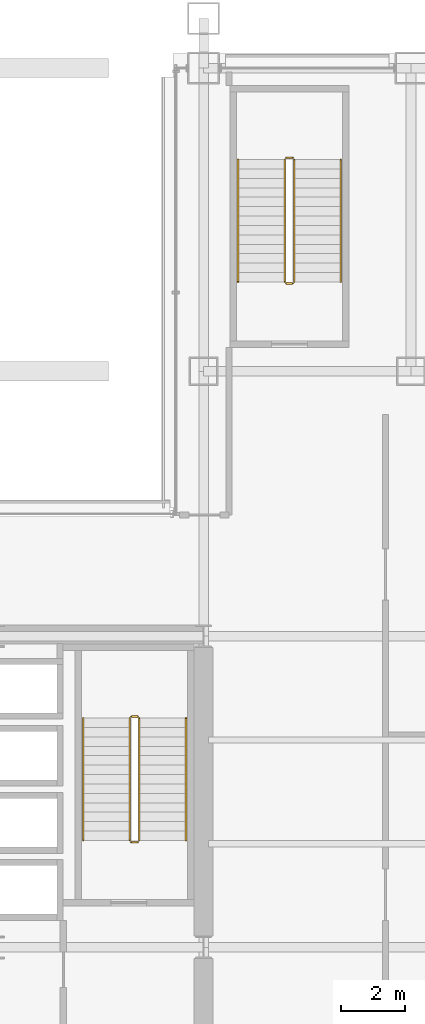
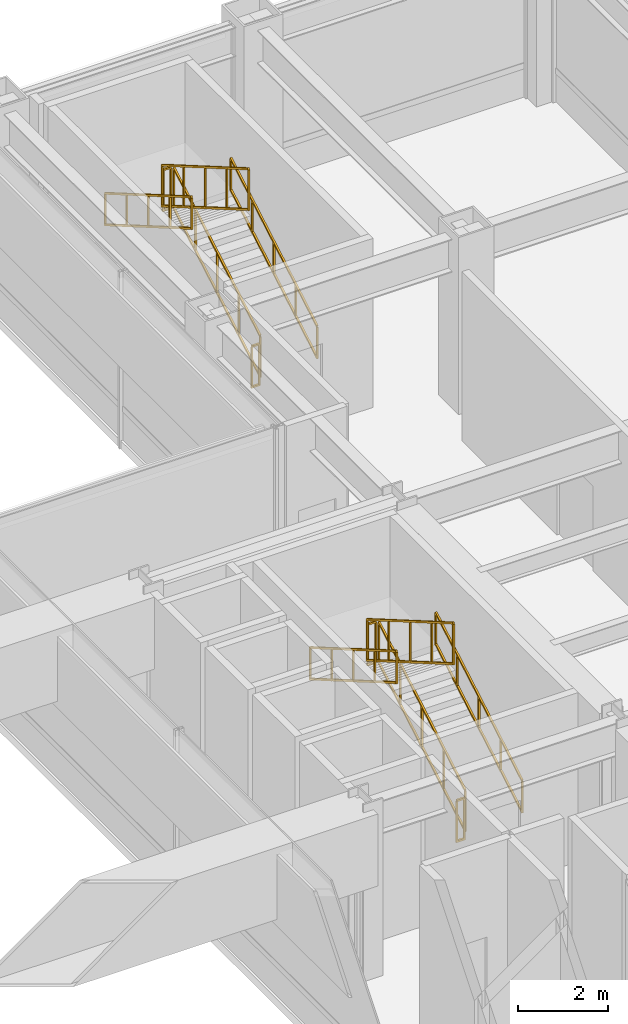
# One storey, part 42 of 42: 12 railings.
"""IFC4 building model written with IfcOpenShell, lengths in metres."""

from ifc_helpers import new_model, si_unit, direction, frame, origin, origin_2d, place, context, subcontext, project, spatial, rectangle, extrude, material, type_object, element, save


model = new_model("IFC4")

# Units and contexts
model_context = context("Model", 3, precision=1e-05, world=origin(), true_north=direction((0.0, 1.0)))
body_context = subcontext(model_context, "Body", "Model", "MODEL_VIEW")
ifc_project = project(units=[si_unit("LENGTHUNIT", "METRE"), si_unit("AREAUNIT", "SQUARE_METRE"), si_unit("VOLUMEUNIT", "CUBIC_METRE"), si_unit("PLANEANGLEUNIT", "RADIAN"), si_unit("MASSUNIT", "GRAM", prefix="KILO")], contexts=[model_context])

# Site, building, storey
site_placement = place(None, origin())
site = spatial("IfcSite", under=ifc_project, at=site_placement, CompositionType="ELEMENT")
building_placement = place(site_placement, origin())
building = spatial("IfcBuilding", under=site, at=building_placement, Name="Brelmoor Portico Tower", CompositionType="ELEMENT")
storey_placement = place(building_placement, frame((0.0, 0.0, 9.60009765625)))
storey = spatial("IfcBuildingStorey", under=building, at=storey_placement, Name="L02", CompositionType="ELEMENT", Elevation=9.60009765625)

# Railings
ifc_material_1 = material(Name="Painted Tubular Steel Q235B", Category="steel")
railing_type_1 = type_object("IfcRailingType", Name="RL-STAIR-GUARD", PredefinedType="GUARDRAIL", material=ifc_material_1)
railing_1_placement = place(storey_placement, frame((12.5400390625, 3.35009765625, 0.17138671875)))
element("IfcRailing", 1, at=railing_1_placement, inside=storey, type_object=railing_type_1, Name="L02 ST-E stair guard 1", PredefinedType="GUARDRAIL", context=body_context, shape_type="SweptSolid", body=[
    extrude(rectangle(XDim=0.048095703125, YDim=0.048095703125, at=origin_2d()), frame((0.0, 0.0, 1.1259765625), z_axis=(0.0, 0.86461618451, 0.502432934314), x_axis=(-1.0, 0.0, 0.0)), (0.0, 0.0, 1.0), 4.435546875),
    extrude(rectangle(XDim=0.048095703125, YDim=0.048095703125, at=origin_2d()), frame((0.0, 0.0, 0.02392578125), z_axis=(0.0, 0.86461618451, 0.502432934314), x_axis=(-1.0, 0.0, 0.0)), (0.0, 0.0, 1.0), 4.435546875),
    extrude(rectangle(XDim=0.0419921875, YDim=0.0419921875, at=origin_2d()), origin(), (0.0, 0.0, 1.0), 1.101806640625),
    extrude(rectangle(XDim=0.0419921875, YDim=0.0419921875, at=origin_2d()), frame((0.0, 0.958740234375, 0.55712890625)), (0.0, 0.0, 1.0), 1.101806640625),
    extrude(rectangle(XDim=0.0419921875, YDim=0.0419921875, at=origin_2d()), frame((0.0, 1.91748046875, 1.1142578125)), (0.0, 0.0, 1.0), 1.101806640625),
    extrude(rectangle(XDim=0.0419921875, YDim=0.0419921875, at=origin_2d()), frame((0.0, 2.876220703125, 1.67138671875)), (0.0, 0.0, 1.0), 1.101806640625),
    extrude(rectangle(XDim=0.0419921875, YDim=0.0419921875, at=origin_2d()), frame((0.0, 3.8349609375, 2.228515625)), (0.0, 0.0, 1.0), 1.101806640625),
])
railing_2_placement = place(storey_placement, frame((12.489990234375, 7.235107421875, 2.39990234375)))
element("IfcRailing", 2, at=railing_2_placement, inside=storey, type_object=railing_type_1, Name="L02 ST-E stair guard 2", PredefinedType="GUARDRAIL", context=body_context, shape_type="SweptSolid", body=[
    extrude(rectangle(XDim=0.048095703125, YDim=0.048095703125, at=origin_2d()), frame((0.0, 0.0, 1.1259765625), z_axis=(-1.0, 0.0, 0.0), x_axis=(0.0, -1.0, 0.0)), (0.0, 0.0, 1.0), 0.199951171875),
    extrude(rectangle(XDim=0.048095703125, YDim=0.048095703125, at=origin_2d()), frame((0.0, 0.0, 0.02392578125), z_axis=(-1.0, 0.0, 0.0), x_axis=(0.0, -1.0, 0.0)), (0.0, 0.0, 1.0), 0.199951171875),
    extrude(rectangle(XDim=0.0419921875, YDim=0.0419921875, at=origin_2d()), origin(), (0.0, 0.0, 1.0), 1.101806640625),
    extrude(rectangle(XDim=0.0419921875, YDim=0.0419921875, at=origin_2d()), frame((-0.199951171875, 0.0, 0.0)), (0.0, 0.0, 1.0), 1.101806640625),
])
railing_3_placement = place(storey_placement, frame((12.239990234375, 7.18505859375, 2.5712890625)))
element("IfcRailing", 3, at=railing_3_placement, inside=storey, type_object=railing_type_1, Name="L02 ST-E stair guard 3", PredefinedType="GUARDRAIL", context=body_context, shape_type="SweptSolid", body=[
    extrude(rectangle(XDim=0.048095703125, YDim=0.048095703125, at=origin_2d()), frame((0.0, 0.0, 1.1259765625), z_axis=(0.0, -0.86461618451, 0.502432934314), x_axis=(1.0, 0.0, 0.0)), (0.0, 0.0, 1.0), 4.435546875),
    extrude(rectangle(XDim=0.048095703125, YDim=0.048095703125, at=origin_2d()), frame((0.0, 0.0, 0.02392578125), z_axis=(0.0, -0.86461618451, 0.502432934314), x_axis=(1.0, 0.0, 0.0)), (0.0, 0.0, 1.0), 4.435546875),
    extrude(rectangle(XDim=0.0419921875, YDim=0.0419921875, at=origin_2d()), origin(), (0.0, 0.0, 1.0), 1.101806640625),
    extrude(rectangle(XDim=0.0419921875, YDim=0.0419921875, at=origin_2d()), frame((0.0, -0.958740234375, 0.55712890625)), (0.0, 0.0, 1.0), 1.101806640625),
    extrude(rectangle(XDim=0.0419921875, YDim=0.0419921875, at=origin_2d()), frame((0.0, -1.91748046875, 1.1142578125)), (0.0, 0.0, 1.0), 1.101806640625),
    extrude(rectangle(XDim=0.0419921875, YDim=0.0419921875, at=origin_2d()), frame((0.0, -2.876220703125, 1.67138671875)), (0.0, 0.0, 1.0), 1.101806640625),
    extrude(rectangle(XDim=0.0419921875, YDim=0.0419921875, at=origin_2d()), frame((0.0, -3.8349609375, 2.228515625)), (0.0, 0.0, 1.0), 1.101806640625),
])
railing_4_placement = place(storey_placement, frame((12.489990234375, 3.300048828125, 0.0)))
element("IfcRailing", 4, at=railing_4_placement, inside=storey, type_object=railing_type_1, Name="L02 ST-E stair guard 4", PredefinedType="GUARDRAIL", context=body_context, shape_type="SweptSolid", body=[
    extrude(rectangle(XDim=0.048095703125, YDim=0.048095703125, at=origin_2d()), frame((0.0, 0.0, 1.1259765625), z_axis=(-1.0, 0.0, 0.0), x_axis=(0.0, -1.0, 0.0)), (0.0, 0.0, 1.0), 0.199951171875),
    extrude(rectangle(XDim=0.048095703125, YDim=0.048095703125, at=origin_2d()), frame((0.0, 0.0, 0.02392578125), z_axis=(-1.0, 0.0, 0.0), x_axis=(0.0, -1.0, 0.0)), (0.0, 0.0, 1.0), 0.199951171875),
    extrude(rectangle(XDim=0.0419921875, YDim=0.0419921875, at=origin_2d()), origin(), (0.0, 0.0, 1.0), 1.101806640625),
    extrude(rectangle(XDim=0.0419921875, YDim=0.0419921875, at=origin_2d()), frame((-0.199951171875, 0.0, 0.0)), (0.0, 0.0, 1.0), 1.101806640625),
])
railing_5_placement = place(storey_placement, frame((17.389892578125, 20.85009765625, 0.17138671875)))
element("IfcRailing", 5, at=railing_5_placement, inside=storey, type_object=railing_type_1, Name="L02 ST-P2 stair guard 1", PredefinedType="GUARDRAIL", context=body_context, shape_type="SweptSolid", body=[
    extrude(rectangle(XDim=0.048095703125, YDim=0.048095703125, at=origin_2d()), frame((0.0, 0.0, 1.1259765625), z_axis=(0.0, 0.86461618451, 0.502432934314), x_axis=(-1.0, 0.0, 0.0)), (0.0, 0.0, 1.0), 4.435546875),
    extrude(rectangle(XDim=0.048095703125, YDim=0.048095703125, at=origin_2d()), frame((0.0, 0.0, 0.02392578125), z_axis=(0.0, 0.86461618451, 0.502432934314), x_axis=(-1.0, 0.0, 0.0)), (0.0, 0.0, 1.0), 4.435546875),
    extrude(rectangle(XDim=0.0419921875, YDim=0.0419921875, at=origin_2d()), origin(), (0.0, 0.0, 1.0), 1.101806640625),
    extrude(rectangle(XDim=0.0419921875, YDim=0.0419921875, at=origin_2d()), frame((0.0, 0.958740234375, 0.55712890625)), (0.0, 0.0, 1.0), 1.101806640625),
    extrude(rectangle(XDim=0.0419921875, YDim=0.0419921875, at=origin_2d()), frame((0.0, 1.91748046875, 1.1142578125)), (0.0, 0.0, 1.0), 1.101806640625),
    extrude(rectangle(XDim=0.0419921875, YDim=0.0419921875, at=origin_2d()), frame((0.0, 2.876220703125, 1.67138671875)), (0.0, 0.0, 1.0), 1.101806640625),
    extrude(rectangle(XDim=0.0419921875, YDim=0.0419921875, at=origin_2d()), frame((0.0, 3.8349609375, 2.228515625)), (0.0, 0.0, 1.0), 1.101806640625),
])
railing_6_placement = place(storey_placement, frame((17.340087890625, 24.735107421875, 2.39990234375)))
element("IfcRailing", 6, at=railing_6_placement, inside=storey, type_object=railing_type_1, Name="L02 ST-P2 stair guard 2", PredefinedType="GUARDRAIL", context=body_context, shape_type="SweptSolid", body=[
    extrude(rectangle(XDim=0.048095703125, YDim=0.048095703125, at=origin_2d()), frame((0.0, 0.0, 1.1259765625), z_axis=(-1.0, 0.0, 0.0), x_axis=(0.0, -1.0, 0.0)), (0.0, 0.0, 1.0), 0.2001953125),
    extrude(rectangle(XDim=0.048095703125, YDim=0.048095703125, at=origin_2d()), frame((0.0, 0.0, 0.02392578125), z_axis=(-1.0, 0.0, 0.0), x_axis=(0.0, -1.0, 0.0)), (0.0, 0.0, 1.0), 0.2001953125),
    extrude(rectangle(XDim=0.0419921875, YDim=0.0419921875, at=origin_2d()), origin(), (0.0, 0.0, 1.0), 1.101806640625),
    extrude(rectangle(XDim=0.0419921875, YDim=0.0419921875, at=origin_2d()), frame((-0.2001953125, 0.0, 0.0)), (0.0, 0.0, 1.0), 1.101806640625),
])
railing_7_placement = place(storey_placement, frame((17.090087890625, 24.68505859375, 2.5712890625)))
element("IfcRailing", 7, at=railing_7_placement, inside=storey, type_object=railing_type_1, Name="L02 ST-P2 stair guard 3", PredefinedType="GUARDRAIL", context=body_context, shape_type="SweptSolid", body=[
    extrude(rectangle(XDim=0.048095703125, YDim=0.048095703125, at=origin_2d()), frame((0.0, 0.0, 1.1259765625), z_axis=(0.0, -0.86461618451, 0.502432934314), x_axis=(1.0, 0.0, 0.0)), (0.0, 0.0, 1.0), 4.435546875),
    extrude(rectangle(XDim=0.048095703125, YDim=0.048095703125, at=origin_2d()), frame((0.0, 0.0, 0.02392578125), z_axis=(0.0, -0.86461618451, 0.502432934314), x_axis=(1.0, 0.0, 0.0)), (0.0, 0.0, 1.0), 4.435546875),
    extrude(rectangle(XDim=0.0419921875, YDim=0.0419921875, at=origin_2d()), origin(), (0.0, 0.0, 1.0), 1.101806640625),
    extrude(rectangle(XDim=0.0419921875, YDim=0.0419921875, at=origin_2d()), frame((0.0, -0.958740234375, 0.55712890625)), (0.0, 0.0, 1.0), 1.101806640625),
    extrude(rectangle(XDim=0.0419921875, YDim=0.0419921875, at=origin_2d()), frame((0.0, -1.91748046875, 1.1142578125)), (0.0, 0.0, 1.0), 1.101806640625),
    extrude(rectangle(XDim=0.0419921875, YDim=0.0419921875, at=origin_2d()), frame((0.0, -2.876220703125, 1.67138671875)), (0.0, 0.0, 1.0), 1.101806640625),
    extrude(rectangle(XDim=0.0419921875, YDim=0.0419921875, at=origin_2d()), frame((0.0, -3.8349609375, 2.228515625)), (0.0, 0.0, 1.0), 1.101806640625),
])
railing_8_placement = place(storey_placement, frame((17.340087890625, 20.800048828125, 0.0)))
element("IfcRailing", 8, at=railing_8_placement, inside=storey, type_object=railing_type_1, Name="L02 ST-P2 stair guard 4", PredefinedType="GUARDRAIL", context=body_context, shape_type="SweptSolid", body=[
    extrude(rectangle(XDim=0.048095703125, YDim=0.048095703125, at=origin_2d()), frame((0.0, 0.0, 1.1259765625), z_axis=(-1.0, 0.0, 0.0), x_axis=(0.0, -1.0, 0.0)), (0.0, 0.0, 1.0), 0.2001953125),
    extrude(rectangle(XDim=0.048095703125, YDim=0.048095703125, at=origin_2d()), frame((0.0, 0.0, 0.02392578125), z_axis=(-1.0, 0.0, 0.0), x_axis=(0.0, -1.0, 0.0)), (0.0, 0.0, 1.0), 0.2001953125),
    extrude(rectangle(XDim=0.0419921875, YDim=0.0419921875, at=origin_2d()), origin(), (0.0, 0.0, 1.0), 1.101806640625),
    extrude(rectangle(XDim=0.0419921875, YDim=0.0419921875, at=origin_2d()), frame((-0.2001953125, 0.0, 0.0)), (0.0, 0.0, 1.0), 1.101806640625),
])
ifc_material_2 = material(Name="Brushed Stainless Steel 304", Category="steel")
railing_type_2 = type_object("IfcRailingType", Name="RL-STAIR-HANDRAIL", PredefinedType="HANDRAIL", material=ifc_material_2)
railing_9_placement = place(storey_placement, frame((14.0, 3.35009765625, 0.17138671875)))
element("IfcRailing", 9, at=railing_9_placement, inside=storey, type_object=railing_type_2, Name="L02 ST-E stair handrail 1", PredefinedType="HANDRAIL", context=body_context, shape_type="SweptSolid", body=[
    extrude(rectangle(XDim=0.048095703125, YDim=0.048095703125, at=origin_2d()), frame((0.0, 0.0, 0.8759765625), z_axis=(0.0, 0.86461618451, 0.502432934314), x_axis=(-1.0, 0.0, 0.0)), (0.0, 0.0, 1.0), 4.435546875),
    extrude(rectangle(XDim=0.048095703125, YDim=0.048095703125, at=origin_2d()), frame((0.0, 0.0, 0.02392578125), z_axis=(0.0, 0.86461618451, 0.502432934314), x_axis=(-1.0, 0.0, 0.0)), (0.0, 0.0, 1.0), 4.435546875),
    extrude(rectangle(XDim=0.0419921875, YDim=0.0419921875, at=origin_2d()), origin(), (0.0, 0.0, 1.0), 0.851806640625),
    extrude(rectangle(XDim=0.0419921875, YDim=0.0419921875, at=origin_2d()), frame((0.0, 0.958740234375, 0.55712890625)), (0.0, 0.0, 1.0), 0.851806640625),
    extrude(rectangle(XDim=0.0419921875, YDim=0.0419921875, at=origin_2d()), frame((0.0, 1.91748046875, 1.1142578125)), (0.0, 0.0, 1.0), 0.851806640625),
    extrude(rectangle(XDim=0.0419921875, YDim=0.0419921875, at=origin_2d()), frame((0.0, 2.876220703125, 1.67138671875)), (0.0, 0.0, 1.0), 0.851806640625),
    extrude(rectangle(XDim=0.0419921875, YDim=0.0419921875, at=origin_2d()), frame((0.0, 3.8349609375, 2.228515625)), (0.0, 0.0, 1.0), 0.851806640625),
])
railing_10_placement = place(storey_placement, frame((10.780029296875, 7.18505859375, 2.5712890625)))
element("IfcRailing", 10, at=railing_10_placement, inside=storey, type_object=railing_type_2, Name="L02 ST-E stair handrail 2", PredefinedType="HANDRAIL", context=body_context, shape_type="SweptSolid", body=[
    extrude(rectangle(XDim=0.048095703125, YDim=0.048095703125, at=origin_2d()), frame((0.0, 0.0, 0.8759765625), z_axis=(0.0, -0.86461618451, 0.502432934314), x_axis=(1.0, 0.0, 0.0)), (0.0, 0.0, 1.0), 4.435546875),
    extrude(rectangle(XDim=0.048095703125, YDim=0.048095703125, at=origin_2d()), frame((0.0, 0.0, 0.02392578125), z_axis=(0.0, -0.86461618451, 0.502432934314), x_axis=(1.0, 0.0, 0.0)), (0.0, 0.0, 1.0), 4.435546875),
    extrude(rectangle(XDim=0.0419921875, YDim=0.0419921875, at=origin_2d()), origin(), (0.0, 0.0, 1.0), 0.851806640625),
    extrude(rectangle(XDim=0.0419921875, YDim=0.0419921875, at=origin_2d()), frame((0.0, -0.958740234375, 0.55712890625)), (0.0, 0.0, 1.0), 0.851806640625),
    extrude(rectangle(XDim=0.0419921875, YDim=0.0419921875, at=origin_2d()), frame((0.0, -1.91748046875, 1.1142578125)), (0.0, 0.0, 1.0), 0.851806640625),
    extrude(rectangle(XDim=0.0419921875, YDim=0.0419921875, at=origin_2d()), frame((0.0, -2.876220703125, 1.67138671875)), (0.0, 0.0, 1.0), 0.851806640625),
    extrude(rectangle(XDim=0.0419921875, YDim=0.0419921875, at=origin_2d()), frame((0.0, -3.8349609375, 2.228515625)), (0.0, 0.0, 1.0), 0.851806640625),
])
railing_11_placement = place(storey_placement, frame((18.85009765625, 20.85009765625, 0.17138671875)))
element("IfcRailing", 11, at=railing_11_placement, inside=storey, type_object=railing_type_2, Name="L02 ST-P2 stair handrail 1", PredefinedType="HANDRAIL", context=body_context, shape_type="SweptSolid", body=[
    extrude(rectangle(XDim=0.048095703125, YDim=0.048095703125, at=origin_2d()), frame((0.0, 0.0, 0.8759765625), z_axis=(0.0, 0.86461618451, 0.502432934314), x_axis=(-1.0, 0.0, 0.0)), (0.0, 0.0, 1.0), 4.435546875),
    extrude(rectangle(XDim=0.048095703125, YDim=0.048095703125, at=origin_2d()), frame((0.0, 0.0, 0.02392578125), z_axis=(0.0, 0.86461618451, 0.502432934314), x_axis=(-1.0, 0.0, 0.0)), (0.0, 0.0, 1.0), 4.435546875),
    extrude(rectangle(XDim=0.0419921875, YDim=0.0419921875, at=origin_2d()), origin(), (0.0, 0.0, 1.0), 0.851806640625),
    extrude(rectangle(XDim=0.0419921875, YDim=0.0419921875, at=origin_2d()), frame((0.0, 0.958740234375, 0.55712890625)), (0.0, 0.0, 1.0), 0.851806640625),
    extrude(rectangle(XDim=0.0419921875, YDim=0.0419921875, at=origin_2d()), frame((0.0, 1.91748046875, 1.1142578125)), (0.0, 0.0, 1.0), 0.851806640625),
    extrude(rectangle(XDim=0.0419921875, YDim=0.0419921875, at=origin_2d()), frame((0.0, 2.876220703125, 1.67138671875)), (0.0, 0.0, 1.0), 0.851806640625),
    extrude(rectangle(XDim=0.0419921875, YDim=0.0419921875, at=origin_2d()), frame((0.0, 3.8349609375, 2.228515625)), (0.0, 0.0, 1.0), 0.851806640625),
])
railing_12_placement = place(storey_placement, frame((15.6298828125, 24.68505859375, 2.5712890625)))
element("IfcRailing", 12, at=railing_12_placement, inside=storey, type_object=railing_type_2, Name="L02 ST-P2 stair handrail 2", PredefinedType="HANDRAIL", context=body_context, shape_type="SweptSolid", body=[
    extrude(rectangle(XDim=0.048095703125, YDim=0.048095703125, at=origin_2d()), frame((0.0, 0.0, 0.8759765625), z_axis=(0.0, -0.86461618451, 0.502432934314), x_axis=(1.0, 0.0, 0.0)), (0.0, 0.0, 1.0), 4.435546875),
    extrude(rectangle(XDim=0.048095703125, YDim=0.048095703125, at=origin_2d()), frame((0.0, 0.0, 0.02392578125), z_axis=(0.0, -0.86461618451, 0.502432934314), x_axis=(1.0, 0.0, 0.0)), (0.0, 0.0, 1.0), 4.435546875),
    extrude(rectangle(XDim=0.0419921875, YDim=0.0419921875, at=origin_2d()), origin(), (0.0, 0.0, 1.0), 0.851806640625),
    extrude(rectangle(XDim=0.0419921875, YDim=0.0419921875, at=origin_2d()), frame((0.0, -0.958740234375, 0.55712890625)), (0.0, 0.0, 1.0), 0.851806640625),
    extrude(rectangle(XDim=0.0419921875, YDim=0.0419921875, at=origin_2d()), frame((0.0, -1.91748046875, 1.1142578125)), (0.0, 0.0, 1.0), 0.851806640625),
    extrude(rectangle(XDim=0.0419921875, YDim=0.0419921875, at=origin_2d()), frame((0.0, -2.876220703125, 1.67138671875)), (0.0, 0.0, 1.0), 0.851806640625),
    extrude(rectangle(XDim=0.0419921875, YDim=0.0419921875, at=origin_2d()), frame((0.0, -3.8349609375, 2.228515625)), (0.0, 0.0, 1.0), 0.851806640625),
])

save(model, "model.ifc")
